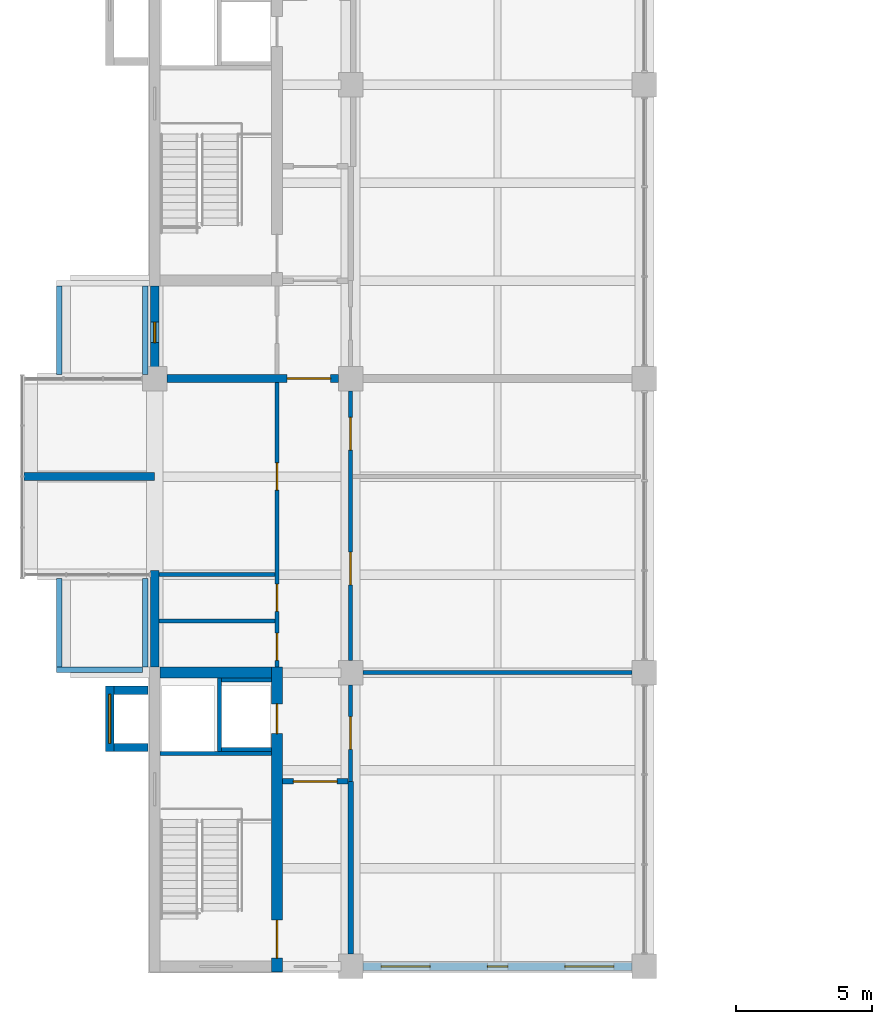
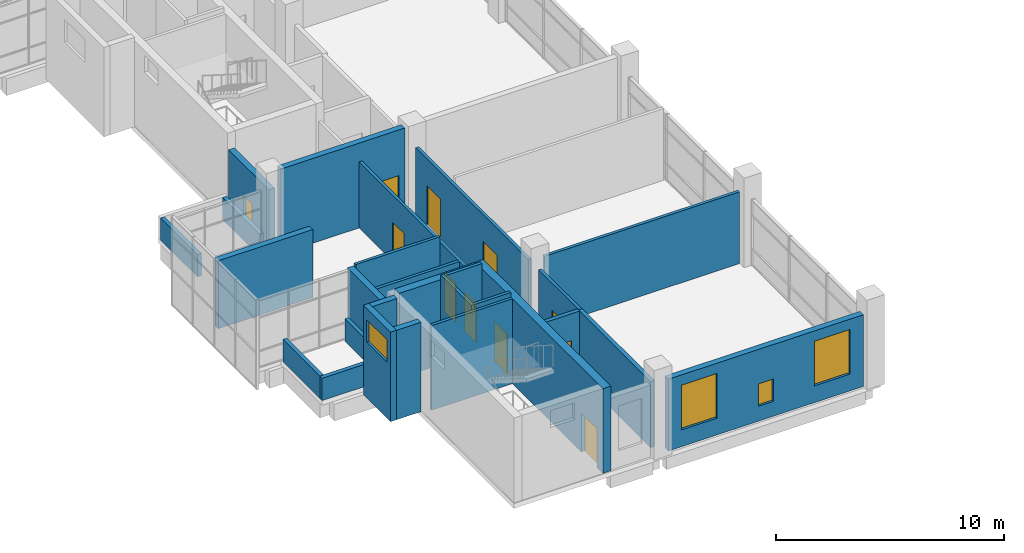
# One storey, part 14 of 22: 27 walls, 10 doors, 5 windows, 15 openings.
"""IFC4 building model written with IfcOpenShell, lengths in metres."""

from ifc_helpers import new_model, si_unit, direction, frame, frame_2d, origin, place, context, subcontext, project, spatial, rectangle, extrude, material, layer, layer_set, type_object, element, fill, save


model = new_model("IFC4")

# Units and contexts
model_context = context("Model", 3, precision=1e-05, world=origin(), true_north=direction((0.0, 1.0)))
body_context = subcontext(model_context, "Body", "Model", "MODEL_VIEW")
ifc_project = project(units=[si_unit("LENGTHUNIT", "METRE"), si_unit("AREAUNIT", "SQUARE_METRE"), si_unit("VOLUMEUNIT", "CUBIC_METRE"), si_unit("PLANEANGLEUNIT", "RADIAN"), si_unit("MASSUNIT", "GRAM", prefix="KILO")], contexts=[model_context])

# Site, building, storey
site_placement = place(None, origin())
site = spatial("IfcSite", under=ifc_project, at=site_placement, CompositionType="ELEMENT")
building_placement = place(site_placement, origin())
building = spatial("IfcBuilding", under=site, at=building_placement, Name="Basin Gate Institute", CompositionType="ELEMENT")
storey_placement = place(building_placement, frame((0.0, 0.0, 51.0)))
storey = spatial("IfcBuildingStorey", under=building, at=storey_placement, Name="L10", CompositionType="ELEMENT", Elevation=51.0)

# Wall
ifc_material_1 = material(Name="Aluminium-faced insulated panel wall", Category="aluminium")
ifc_layer_1 = layer(ifc_material_1, 0.300048828125)
ifc_layer_set_1 = layer_set([ifc_layer_1], Name="Capsule side wall EW2 EI 120")
wall_type_1 = type_object("IfcWallType", Name="Capsule side wall EW2 EI 120", PredefinedType="STANDARD", material=ifc_layer_set_1)
wall_1_placement = place(storey_placement, frame((56.39990234375, 53.10009765625, 0.0), z_axis=(0.0, 0.0, 1.0), x_axis=(1.0, 0.0, 0.0)))
element("IfcWall", 1, at=wall_1_placement, inside=storey, type_object=wall_type_1, material=ifc_layer_set_1, Name="Capsule side wall W wing L10 line 6", PredefinedType="STANDARD", context=body_context, shape_type="SweptSolid", body=[
    extrude(rectangle(XDim=4.800048828125, YDim=0.300048828125, at=frame_2d((2.39990234375, 0.0))), origin(), (0.0, 0.0, 1.0), 3.64990234375),
])

# Wall, opening, door
ifc_material_2 = material(Name="Fire-rated masonry", Category="masonry")
ifc_layer_2 = layer(ifc_material_2, 0.199951171875)
ifc_layer_set_2 = layer_set([ifc_layer_2], Name="Enclosure wall PW2 200 EI 60")
wall_type_2 = type_object("IfcWallType", Name="Enclosure wall PW2 200 EI 60", PredefinedType="PARTITIONING", material=ifc_layer_set_2)
wall_2_placement = place(storey_placement, frame((65.89990234375, 41.89990234375, 0.0), z_axis=(0.0, 0.0, 1.0), x_axis=(1.0, 0.0, 0.0)))
wall_2 = element("IfcWall", 2, at=wall_2_placement, inside=storey, type_object=wall_type_2, material=ifc_layer_set_2, Name="Smoke lobby enclosure wall PW2 L10", PredefinedType="PARTITIONING", context=body_context, shape_type="SweptSolid", body=[
    extrude(rectangle(XDim=2.400146484375, YDim=0.199951171875, at=frame_2d((1.2001953125, 0.0))), origin(), (0.0, 0.0, 1.0), 3.550048828125),
])
opening_1_placement = place(wall_2_placement, frame((0.39990234375, 0.0, 0.0)))
opening_1 = element("IfcOpeningElement", 3, at=opening_1_placement, cuts=wall_2, Name="Opening DR455", PredefinedType="OPENING", context=body_context, shape_type="SweptSolid", body=[
    extrude(rectangle(XDim=1.60009765625, YDim=2.10009765625, at=frame_2d((0.800048828125, 1.050048828125))), frame((0.0, 0.10986328125, 0.0), z_axis=(0.0, -1.0, 0.0), x_axis=(1.0, 0.0, 0.0)), (0.0, 0.0, 1.0), 0.219970703125),
])
ifc_material_3 = material(Name="Steel fire door", Category="steel")
door_type_1 = type_object("IfcDoorType", Name="FD60 Smoke lobby door pair D8", OperationType="DOUBLE_DOOR_SINGLE_SWING", PredefinedType="DOOR", material=ifc_material_3)
door_1_placement = place(opening_1_placement, frame((1.60009765625, 0.0, 0.0), z_axis=(0.0, 0.0, 1.0), x_axis=(-1.0, 0.0, 0.0)))
door_1 = element("IfcDoor", 4, at=door_1_placement, inside=storey, type_object=door_type_1, material=ifc_material_3, Name="Smoke lobby door SS1 L10", OperationType="DOUBLE_DOOR_SINGLE_SWING", OverallHeight=2.10009765625, OverallWidth=1.60009765625, PredefinedType="DOOR", context=body_context, shape_type="SweptSolid", body=[
    extrude(rectangle(XDim=1.60009765625, YDim=2.10009765625, at=frame_2d((0.800048828125, 1.050048828125))), frame((0.0, 0.02490234375, 0.0), z_axis=(0.0, -1.0, 0.0), x_axis=(1.0, 0.0, 0.0)), (0.0, 0.0, 1.0), 0.050048828125),
])
fill(opening_1, door_1)

# Walls
wall_3_placement = place(storey_placement, frame((68.39990234375, 35.550048828125, 0.0), z_axis=(0.0, 0.0, 1.0), x_axis=(0.0, 1.0, 0.0)))
element("IfcWall", 5, at=wall_3_placement, inside=storey, type_object=wall_type_2, material=ifc_layer_set_2, Name="Smoke lobby enclosure wall PW2 L10", PredefinedType="PARTITIONING", context=body_context, shape_type="SweptSolid", body=[
    extrude(rectangle(XDim=6.349853515625, YDim=0.199951171875, at=frame_2d((3.1748046875, 0.0))), origin(), (0.0, 0.0, 1.0), 3.550048828125),
])
ifc_material_4 = material(Name="Aluminium-faced insulated panel wall", Category="aluminium")
ifc_layer_3 = layer(ifc_material_4, 0.300048828125)
ifc_layer_set_3 = layer_set([ifc_layer_3], Name="External wall EW1 EI 120")
wall_type_3 = type_object("IfcWallType", Name="External wall EW1 EI 120", PredefinedType="STANDARD", material=ifc_layer_set_3)
wall_4_placement = place(storey_placement, frame((61.199951171875, 46.10009765625, 0.0), z_axis=(0.0, 0.0, 1.0), x_axis=(0.0, 1.0, 0.0)))
element("IfcWall", 6, at=wall_4_placement, inside=storey, type_object=wall_type_3, material=ifc_layer_set_3, Name="External wall W facade L10 1", PredefinedType="STANDARD", context=body_context, shape_type="SweptSolid", body=[
    extrude(rectangle(XDim=3.5498046875, YDim=0.300048828125, at=frame_2d((1.77490234375, 0.0))), origin(), (0.0, 0.0, 1.0), 3.64990234375),
])

# Wall, opening, window
wall_5_placement = place(storey_placement, frame((61.199951171875, 56.550048828125, 0.0), z_axis=(0.0, 0.0, 1.0), x_axis=(0.0, 1.0, 0.0)))
wall_5 = element("IfcWall", 7, at=wall_5_placement, inside=storey, type_object=wall_type_3, material=ifc_layer_set_3, Name="External wall W facade L10 2", PredefinedType="STANDARD", context=body_context, shape_type="SweptSolid", body=[
    extrude(rectangle(XDim=3.550048828125, YDim=0.300048828125, at=frame_2d((1.77490234375, 0.0))), origin(), (0.0, 0.0, 1.0), 3.64990234375),
])
opening_2_placement = place(wall_5_placement, frame((1.47509765625, 0.0, 0.800048828125)))
opening_2 = element("IfcOpeningElement", 8, at=opening_2_placement, cuts=wall_5, Name="Opening WN3", PredefinedType="OPENING", context=body_context, shape_type="SweptSolid", body=[
    extrude(rectangle(XDim=0.75, YDim=1.199951171875, at=frame_2d((0.375, 0.60009765625))), frame((0.0, 0.16015625, 0.0), z_axis=(0.0, -1.0, 0.0), x_axis=(1.0, 0.0, 0.0)), (0.0, 0.0, 1.0), 0.320068359375),
])
ifc_material_5 = material(Name="Aluminium-framed double glazing", Category="aluminium")
window_type_1 = type_object("IfcWindowType", Name="Emergency entry panel WN3", PartitioningType="SINGLE_PANEL", PredefinedType="WINDOW", material=ifc_material_5)
window_1_placement = place(opening_2_placement, origin())
window_1 = element("IfcWindow", 9, at=window_1_placement, inside=storey, type_object=window_type_1, material=ifc_material_5, Name="Emergency entry panel W facade L10 bay 7", OverallHeight=1.199951171875, OverallWidth=0.75, PartitioningType="SINGLE_PANEL", PredefinedType="WINDOW", context=body_context, shape_type="SweptSolid", body=[
    extrude(rectangle(XDim=0.75, YDim=1.199951171875, at=frame_2d((0.375, 0.60009765625))), frame((0.0, 0.030029296875, 0.0), z_axis=(0.0, -1.0, 0.0), x_axis=(1.0, 0.0, 0.0)), (0.0, 0.0, 1.0), 0.06005859375),
])
fill(opening_2, window_1)

# Wall, openings, windows
wall_6_placement = place(storey_placement, frame((68.85009765625, 35.10009765625, 0.0), z_axis=(0.0, 0.0, 1.0), x_axis=(1.0, 0.0, 0.0)))
wall_6 = element("IfcWall", 10, at=wall_6_placement, inside=storey, type_object=wall_type_3, material=ifc_layer_set_3, Name="External end wall W wing south L10 2", PredefinedType="STANDARD", context=body_context, shape_type="SweptSolid", body=[
    extrude(rectangle(XDim=9.89990234375, YDim=0.300048828125, at=frame_2d((4.949951171875, 0.0))), origin(), (0.0, 0.0, 1.0), 3.85009765625),
])
opening_3_placement = place(wall_6_placement, frame((0.675048828125, 0.0, 0.89990234375)))
opening_3 = element("IfcOpeningElement", 11, at=opening_3_placement, cuts=wall_6, Name="Opening WN1", PredefinedType="OPENING", context=body_context, shape_type="SweptSolid", body=[
    extrude(rectangle(XDim=1.800048828125, YDim=2.39990234375, at=frame_2d((0.89990234375, 1.199951171875))), frame((0.0, 0.16015625, 0.0), z_axis=(0.0, -1.0, 0.0), x_axis=(1.0, 0.0, 0.0)), (0.0, 0.0, 1.0), 0.320068359375),
])
opening_4_placement = place(wall_6_placement, frame((4.574951171875, 0.0, 0.800048828125)))
opening_4 = element("IfcOpeningElement", 12, at=opening_4_placement, cuts=wall_6, Name="Opening WN3", PredefinedType="OPENING", context=body_context, shape_type="SweptSolid", body=[
    extrude(rectangle(XDim=0.75, YDim=1.199951171875, at=frame_2d((0.375, 0.60009765625))), frame((0.0, 0.16015625, 0.0), z_axis=(0.0, -1.0, 0.0), x_axis=(1.0, 0.0, 0.0)), (0.0, 0.0, 1.0), 0.320068359375),
])
opening_5_placement = place(wall_6_placement, frame((7.425048828125, 0.0, 0.89990234375)))
opening_5 = element("IfcOpeningElement", 13, at=opening_5_placement, cuts=wall_6, Name="Opening WN1", PredefinedType="OPENING", context=body_context, shape_type="SweptSolid", body=[
    extrude(rectangle(XDim=1.800048828125, YDim=2.39990234375, at=frame_2d((0.89990234375, 1.199951171875))), frame((0.0, 0.16015625, 0.0), z_axis=(0.0, -1.0, 0.0), x_axis=(1.0, 0.0, 0.0)), (0.0, 0.0, 1.0), 0.320068359375),
])
window_2_placement = place(opening_4_placement, origin())
window_2 = element("IfcWindow", 14, at=window_2_placement, inside=storey, type_object=window_type_1, material=ifc_material_5, Name="Emergency entry panel W wing end S L10 bay 2", OverallHeight=1.199951171875, OverallWidth=0.75, PartitioningType="SINGLE_PANEL", PredefinedType="WINDOW", context=body_context, shape_type="SweptSolid", body=[
    extrude(rectangle(XDim=0.75, YDim=1.199951171875, at=frame_2d((0.375, 0.60009765625))), frame((0.0, 0.030029296875, 0.0), z_axis=(0.0, -1.0, 0.0), x_axis=(1.0, 0.0, 0.0)), (0.0, 0.0, 1.0), 0.06005859375),
])
fill(opening_4, window_2)
ifc_material_6 = material(Name="Aluminium-framed double glazing", Category="aluminium")
window_type_2 = type_object("IfcWindowType", Name="Facade window WN1", PartitioningType="SINGLE_PANEL", PredefinedType="WINDOW", material=ifc_material_6)
window_3_placement = place(opening_3_placement, origin())
window_3 = element("IfcWindow", 15, at=window_3_placement, inside=storey, type_object=window_type_2, material=ifc_material_6, Name="Facade window W wing end S L10 bay 1", OverallHeight=2.39990234375, OverallWidth=1.800048828125, PartitioningType="SINGLE_PANEL", PredefinedType="WINDOW", context=body_context, shape_type="SweptSolid", body=[
    extrude(rectangle(XDim=1.800048828125, YDim=2.39990234375, at=frame_2d((0.89990234375, 1.199951171875))), frame((0.0, 0.030029296875, 0.0), z_axis=(0.0, -1.0, 0.0), x_axis=(1.0, 0.0, 0.0)), (0.0, 0.0, 1.0), 0.06005859375),
])
fill(opening_3, window_3)
window_4_placement = place(opening_5_placement, origin())
window_4 = element("IfcWindow", 16, at=window_4_placement, inside=storey, type_object=window_type_2, material=ifc_material_6, Name="Facade window W wing end S L10 bay 3", OverallHeight=2.39990234375, OverallWidth=1.800048828125, PartitioningType="SINGLE_PANEL", PredefinedType="WINDOW", context=body_context, shape_type="SweptSolid", body=[
    extrude(rectangle(XDim=1.800048828125, YDim=2.39990234375, at=frame_2d((0.89990234375, 1.199951171875))), frame((0.0, 0.030029296875, 0.0), z_axis=(0.0, -1.0, 0.0), x_axis=(1.0, 0.0, 0.0)), (0.0, 0.0, 1.0), 0.06005859375),
])
fill(opening_5, window_4)

# Walls
ifc_material_7 = material(Name="Concrete 40 MPa", Category="concrete")
ifc_layer_4 = layer(ifc_material_7, 0.199951171875)
ifc_layer_set_4 = layer_set([ifc_layer_4], Name="Concrete 40 MPa")
wall_type_4 = type_object("IfcWallType", Name="Parapet wall PA1", PredefinedType="PARAPET", material=ifc_layer_set_4)
wall_7_placement = place(storey_placement, frame((60.85009765625, 49.35009765625, 0.0), z_axis=(0.0, 0.0, 1.0), x_axis=(0.0, -1.0, 0.0)))
element("IfcWall", 17, at=wall_7_placement, inside=storey, type_object=wall_type_4, material=ifc_layer_set_4, Name="Parapet wall PA1 L10 W1", PredefinedType="PARAPET", context=body_context, shape_type="SweptSolid", body=[
    extrude(rectangle(XDim=3.25, YDim=0.199951171875, at=frame_2d((1.625, 0.0))), origin(), (0.0, 0.0, 1.0), 1.199951171875),
])
wall_8_placement = place(storey_placement, frame((60.75, 46.0, 0.0), z_axis=(0.0, 0.0, 1.0), x_axis=(-1.0, 0.0, 0.0)))
element("IfcWall", 18, at=wall_8_placement, inside=storey, type_object=wall_type_4, material=ifc_layer_set_4, Name="Parapet wall PA1 L10 W2", PredefinedType="PARAPET", context=body_context, shape_type="SweptSolid", body=[
    extrude(rectangle(XDim=3.14990234375, YDim=0.199951171875, at=frame_2d((1.574951171875, 0.0))), origin(), (0.0, 0.0, 1.0), 1.199951171875),
])
for number, where, z_axis, x_axis, name in (
    (19, (57.699951171875, 46.10009765625, 0.0), (0.0, 0.0, 1.0), (0.0, 1.0, 0.0), "Parapet wall PA1 L10 W3"),
    (20, (60.85009765625, 60.10009765625, 0.0), (0.0, 0.0, 1.0), (0.0, -1.0, 0.0), "Parapet wall PA1 L10 W5"),
    (21, (57.699951171875, 56.85009765625, 0.0), (0.0, 0.0, 1.0), (0.0, 1.0, 0.0), "Parapet wall PA1 L10 W6"),
):
    element("IfcWall", number, at=place(storey_placement, frame(where, z_axis=z_axis, x_axis=x_axis)), inside=storey, type_object=wall_type_4, material=ifc_layer_set_4, Name=name, PredefinedType="PARAPET", context=body_context, shape_type="SweptSolid", body=[
        extrude(rectangle(XDim=3.25, YDim=0.199951171875, at=frame_2d((1.625, 0.0))), origin(), (0.0, 0.0, 1.0), 1.199951171875),
    ])

# Wall, openings, doors
ifc_material_8 = material(Name="Gypsum board on steel stud", Category="steel")
ifc_layer_5 = layer(ifc_material_8, 0.14990234375)
ifc_layer_set_5 = layer_set([ifc_layer_5], Name="Gypsum board on steel stud")
wall_type_5 = type_object("IfcWallType", Name="Partition PW1 150 EI 60", PredefinedType="PARTITIONING", material=ifc_layer_set_5)
wall_9_placement = place(storey_placement, frame((65.699951171875, 46.10009765625, 0.0), z_axis=(0.0, 0.0, 1.0), x_axis=(0.0, 1.0, 0.0)))
wall_9 = element("IfcWall", 22, at=wall_9_placement, inside=storey, type_object=wall_type_5, material=ifc_layer_set_5, Name="Corridor wall PW1 L10", PredefinedType="PARTITIONING", context=body_context, shape_type="SweptSolid", body=[
    extrude(rectangle(XDim=10.449951171875, YDim=0.14990234375, at=frame_2d((5.22509765625, 0.0))), origin(), (0.0, 0.0, 1.0), 3.550048828125),
])
opening_6_placement = place(wall_9_placement, frame((0.25, 0.0, 0.0)))
opening_6 = element("IfcOpeningElement", 23, at=opening_6_placement, cuts=wall_9, Name="Opening DR440", PredefinedType="OPENING", context=body_context, shape_type="SweptSolid", body=[
    extrude(rectangle(XDim=1.0, YDim=2.10009765625, at=frame_2d((0.5, 1.050048828125))), frame((0.0, 0.0849609375, 0.0), z_axis=(0.0, -1.0, 0.0), x_axis=(1.0, 0.0, 0.0)), (0.0, 0.0, 1.0), 0.169921875),
])
opening_7_placement = place(wall_9_placement, frame((2.050048828125, 0.0, 0.0)))
opening_7 = element("IfcOpeningElement", 24, at=opening_7_placement, cuts=wall_9, Name="Opening DR448", PredefinedType="OPENING", context=body_context, shape_type="SweptSolid", body=[
    extrude(rectangle(XDim=1.0, YDim=2.10009765625, at=frame_2d((0.5, 1.050048828125))), frame((0.0, 0.0849609375, 0.0), z_axis=(0.0, -1.0, 0.0), x_axis=(1.0, 0.0, 0.0)), (0.0, 0.0, 1.0), 0.169921875),
])
opening_8_placement = place(wall_9_placement, frame((6.5, 0.0, 0.0)))
opening_8 = element("IfcOpeningElement", 25, at=opening_8_placement, cuts=wall_9, Name="Opening DR452", PredefinedType="OPENING", context=body_context, shape_type="SweptSolid", body=[
    extrude(rectangle(XDim=1.0, YDim=2.10009765625, at=frame_2d((0.5, 1.050048828125))), frame((0.0, 0.0849609375, 0.0), z_axis=(0.0, -1.0, 0.0), x_axis=(1.0, 0.0, 0.0)), (0.0, 0.0, 1.0), 0.169921875),
])
ifc_material_9 = material(Name="Timber fire door", Category="wood")
door_type_2 = type_object("IfcDoorType", Name="FD30 Office door D1", OperationType="NOTDEFINED", PredefinedType="DOOR", material=ifc_material_9)
door_2_placement = place(opening_8_placement, origin())
door_2 = element("IfcDoor", 26, at=door_2_placement, inside=storey, type_object=door_type_2, material=ifc_material_9, Name="Door to Write-up Office 1003 L10", OperationType="SINGLE_SWING_RIGHT", OverallHeight=2.10009765625, OverallWidth=1.0, PredefinedType="DOOR", context=body_context, shape_type="SweptSolid", body=[
    extrude(rectangle(XDim=1.0, YDim=2.10009765625, at=frame_2d((0.5, 1.050048828125))), frame((0.0, 0.02490234375, 0.0), z_axis=(0.0, -1.0, 0.0), x_axis=(1.0, 0.0, 0.0)), (0.0, 0.0, 1.0), 0.050048828125),
])
fill(opening_8, door_2)
ifc_material_10 = material(Name="Timber fire door", Category="wood")
door_type_3 = type_object("IfcDoorType", Name="FD30 Toilet door D3", OperationType="NOTDEFINED", PredefinedType="DOOR", material=ifc_material_10)
door_3_placement = place(opening_6_placement, origin())
door_3 = element("IfcDoor", 27, at=door_3_placement, inside=storey, type_object=door_type_3, material=ifc_material_10, Name="Door to Accessible WC L10", OperationType="SINGLE_SWING_LEFT", OverallHeight=2.10009765625, OverallWidth=1.0, PredefinedType="DOOR", context=body_context, shape_type="SweptSolid", body=[
    extrude(rectangle(XDim=1.0, YDim=2.10009765625, at=frame_2d((0.5, 1.050048828125))), frame((0.0, 0.02490234375, 0.0), z_axis=(0.0, -1.0, 0.0), x_axis=(1.0, 0.0, 0.0)), (0.0, 0.0, 1.0), 0.050048828125),
])
fill(opening_6, door_3)
door_4_placement = place(opening_7_placement, origin())
door_4 = element("IfcDoor", 28, at=door_4_placement, inside=storey, type_object=door_type_3, material=ifc_material_10, Name="Door to Male WC L10", OperationType="SINGLE_SWING_LEFT", OverallHeight=2.10009765625, OverallWidth=1.0, PredefinedType="DOOR", context=body_context, shape_type="SweptSolid", body=[
    extrude(rectangle(XDim=1.0, YDim=2.10009765625, at=frame_2d((0.5, 1.050048828125))), frame((0.0, 0.02490234375, 0.0), z_axis=(0.0, -1.0, 0.0), x_axis=(1.0, 0.0, 0.0)), (0.0, 0.0, 1.0), 0.050048828125),
])
fill(opening_7, door_4)

# Wall, opening, door
wall_10_placement = place(storey_placement, frame((68.39990234375, 41.89990234375, 0.0), z_axis=(0.0, 0.0, 1.0), x_axis=(0.0, 1.0, 0.0)))
wall_10 = element("IfcWall", 29, at=wall_10_placement, inside=storey, type_object=wall_type_5, material=ifc_layer_set_5, Name="Laboratory corridor wall PW1 L10", PredefinedType="PARTITIONING", context=body_context, shape_type="SweptSolid", body=[
    extrude(rectangle(XDim=3.550048828125, YDim=0.14990234375, at=frame_2d((1.77490234375, 0.0))), origin(), (0.0, 0.0, 1.0), 3.550048828125),
])
opening_9_placement = place(wall_10_placement, frame((1.175048828125, 0.0, 0.0)))
opening_9 = element("IfcOpeningElement", 30, at=opening_9_placement, cuts=wall_10, Name="Opening DR441", PredefinedType="OPENING", context=body_context, shape_type="SweptSolid", body=[
    extrude(rectangle(XDim=1.199951171875, YDim=2.10009765625, at=frame_2d((0.60009765625, 1.050048828125))), frame((0.0, 0.0849609375, 0.0), z_axis=(0.0, -1.0, 0.0), x_axis=(1.0, 0.0, 0.0)), (0.0, 0.0, 1.0), 0.169921875),
])
ifc_material_11 = material(Name="Timber fire door", Category="wood")
door_type_4 = type_object("IfcDoorType", Name="FD30 Laboratory door D2", OperationType="DOUBLE_DOOR_SINGLE_SWING", PredefinedType="DOOR", material=ifc_material_11)
door_5_placement = place(opening_9_placement, frame((1.199951171875, 0.0, 0.0), z_axis=(0.0, 0.0, 1.0), x_axis=(-1.0, 0.0, 0.0)))
door_5 = element("IfcDoor", 31, at=door_5_placement, inside=storey, type_object=door_type_4, material=ifc_material_11, Name="Door to Breakout Meeting Room 1015 L10", OperationType="DOUBLE_DOOR_SINGLE_SWING", OverallHeight=2.10009765625, OverallWidth=1.199951171875, PredefinedType="DOOR", context=body_context, shape_type="SweptSolid", body=[
    extrude(rectangle(XDim=1.199951171875, YDim=2.10009765625, at=frame_2d((0.60009765625, 1.050048828125))), frame((0.0, 0.02490234375, 0.0), z_axis=(0.0, -1.0, 0.0), x_axis=(1.0, 0.0, 0.0)), (0.0, 0.0, 1.0), 0.050048828125),
])
fill(opening_9, door_5)

# Wall, openings, doors
wall_11_placement = place(storey_placement, frame((68.39990234375, 46.35009765625, 0.0), z_axis=(0.0, 0.0, 1.0), x_axis=(0.0, 1.0, 0.0)))
wall_11 = element("IfcWall", 32, at=wall_11_placement, inside=storey, type_object=wall_type_5, material=ifc_layer_set_5, Name="Laboratory corridor wall PW1 L10", PredefinedType="PARTITIONING", context=body_context, shape_type="SweptSolid", body=[
    extrude(rectangle(XDim=9.89990234375, YDim=0.14990234375, at=frame_2d((4.949951171875, 0.0))), origin(), (0.0, 0.0, 1.0), 3.550048828125),
])
opening_10_placement = place(wall_11_placement, frame((7.72509765625, 0.0, 0.0)))
opening_10 = element("IfcOpeningElement", 33, at=opening_10_placement, cuts=wall_11, Name="Opening DR442", PredefinedType="OPENING", context=body_context, shape_type="SweptSolid", body=[
    extrude(rectangle(XDim=1.199951171875, YDim=2.10009765625, at=frame_2d((0.60009765625, 1.050048828125))), frame((0.0, 0.0849609375, 0.0), z_axis=(0.0, -1.0, 0.0), x_axis=(1.0, 0.0, 0.0)), (0.0, 0.0, 1.0), 0.169921875),
])
opening_11_placement = place(wall_11_placement, frame((2.77490234375, 0.0, 0.0)))
opening_11 = element("IfcOpeningElement", 34, at=opening_11_placement, cuts=wall_11, Name="Opening DR449", PredefinedType="OPENING", context=body_context, shape_type="SweptSolid", body=[
    extrude(rectangle(XDim=1.199951171875, YDim=2.10009765625, at=frame_2d((0.60009765625, 1.050048828125))), frame((0.0, 0.0849609375, 0.0), z_axis=(0.0, -1.0, 0.0), x_axis=(1.0, 0.0, 0.0)), (0.0, 0.0, 1.0), 0.169921875),
])
door_6_placement = place(opening_10_placement, frame((1.199951171875, 0.0, 0.0), z_axis=(0.0, 0.0, 1.0), x_axis=(-1.0, 0.0, 0.0)))
door_6 = element("IfcDoor", 35, at=door_6_placement, inside=storey, type_object=door_type_4, material=ifc_material_11, Name="Door to Breakout Meeting Room 1017 L10", OperationType="DOUBLE_DOOR_SINGLE_SWING", OverallHeight=2.10009765625, OverallWidth=1.199951171875, PredefinedType="DOOR", context=body_context, shape_type="SweptSolid", body=[
    extrude(rectangle(XDim=1.199951171875, YDim=2.10009765625, at=frame_2d((0.60009765625, 1.050048828125))), frame((0.0, 0.02490234375, 0.0), z_axis=(0.0, -1.0, 0.0), x_axis=(1.0, 0.0, 0.0)), (0.0, 0.0, 1.0), 0.050048828125),
])
fill(opening_10, door_6)
door_7_placement = place(opening_11_placement, frame((1.199951171875, 0.0, 0.0), z_axis=(0.0, 0.0, 1.0), x_axis=(-1.0, 0.0, 0.0)))
door_7 = element("IfcDoor", 36, at=door_7_placement, inside=storey, type_object=door_type_4, material=ifc_material_11, Name="Door to Shared Instrument Suite 1016 L10", OperationType="DOUBLE_DOOR_SINGLE_SWING", OverallHeight=2.10009765625, OverallWidth=1.199951171875, PredefinedType="DOOR", context=body_context, shape_type="SweptSolid", body=[
    extrude(rectangle(XDim=1.199951171875, YDim=2.10009765625, at=frame_2d((0.60009765625, 1.050048828125))), frame((0.0, 0.02490234375, 0.0), z_axis=(0.0, -1.0, 0.0), x_axis=(1.0, 0.0, 0.0)), (0.0, 0.0, 1.0), 0.050048828125),
])
fill(opening_11, door_7)

# Walls
wall_12_placement = place(storey_placement, frame((68.85009765625, 45.89990234375, 0.0), z_axis=(0.0, 0.0, 1.0), x_axis=(1.0, 0.0, 0.0)))
element("IfcWall", 37, at=wall_12_placement, inside=storey, type_object=wall_type_5, material=ifc_layer_set_5, Name="Laboratory partition PW1 L10", PredefinedType="PARTITIONING", context=body_context, shape_type="SweptSolid", body=[
    extrude(rectangle(XDim=9.89990234375, YDim=0.14990234375, at=frame_2d((4.949951171875, 0.0))), origin(), (0.0, 0.0, 1.0), 3.85009765625),
])
ifc_material_12 = material(Name="Gypsum board on steel stud", Category="steel")
ifc_layer_6 = layer(ifc_material_12, 0.14990234375)
ifc_layer_set_6 = layer_set([ifc_layer_6], Name="Gypsum board on steel stud")
wall_type_6 = type_object("IfcWallType", Name="Partition PW4 150", PredefinedType="PARTITIONING", material=ifc_layer_set_6)
wall_13_placement = place(storey_placement, frame((61.35009765625, 47.800048828125, 0.0), z_axis=(0.0, 0.0, 1.0), x_axis=(1.0, 0.0, 0.0)))
element("IfcWall", 38, at=wall_13_placement, inside=storey, type_object=wall_type_6, material=ifc_layer_set_6, Name="Toilet partition PW4 L10", PredefinedType="PARTITIONING", context=body_context, shape_type="SweptSolid", body=[
    extrude(rectangle(XDim=4.27490234375, YDim=0.14990234375, at=frame_2d((2.137451171875, 0.0))), origin(), (0.0, 0.0, 1.0), 3.550048828125),
])
wall_14_placement = place(storey_placement, frame((61.35009765625, 49.5, 0.0), z_axis=(0.0, 0.0, 1.0), x_axis=(1.0, 0.0, 0.0)))
element("IfcWall", 39, at=wall_14_placement, inside=storey, type_object=wall_type_6, material=ifc_layer_set_6, Name="Toilet partition PW4 L10", PredefinedType="PARTITIONING", context=body_context, shape_type="SweptSolid", body=[
    extrude(rectangle(XDim=4.27490234375, YDim=0.14990234375, at=frame_2d((2.137451171875, 0.0))), origin(), (0.0, 0.0, 1.0), 3.85009765625),
])
ifc_material_13 = material(Name="Concrete 40 MPa", Category="concrete")
ifc_layer_7 = layer(ifc_material_13, 0.14990234375)
ifc_layer_set_7 = layer_set([ifc_layer_7], Name="Concrete 40 MPa")
wall_type_7 = type_object("IfcWallType", Name="Wall LS1 lift shaft enclosure R120", PredefinedType="SOLIDWALL", material=ifc_layer_set_7)
wall_15_placement = place(storey_placement, frame((63.574951171875, 43.0, 0.0), z_axis=(0.0, 0.0, 1.0), x_axis=(0.0, 1.0, 0.0)))
element("IfcWall", 40, at=wall_15_placement, inside=storey, type_object=wall_type_7, material=ifc_layer_set_7, Name="Lift shaft enclosure LP1 L10 UL", PredefinedType="SOLIDWALL", context=body_context, shape_type="SweptSolid", body=[
    extrude(rectangle(XDim=2.699951171875, YDim=0.14990234375, at=frame_2d((1.35009765625, 0.0))), origin(), (0.0, 0.0, 1.0), 4.800048828125),
])
for number, where, z_axis, x_axis, name in (
    (41, (63.64990234375, 43.074951171875, 0.0), (0.0, 0.0, 1.0), (1.0, 0.0, 0.0), "Lift shaft enclosure LP1 L10 RL"),
    (42, (63.64990234375, 45.625, 0.0), (0.0, 0.0, 1.0), (1.0, 0.0, 0.0), "Lift shaft enclosure LP1 L10 RH"),
):
    element("IfcWall", number, at=place(storey_placement, frame(where, z_axis=z_axis, x_axis=x_axis)), inside=storey, type_object=wall_type_7, material=ifc_layer_set_7, Name=name, PredefinedType="SOLIDWALL", context=body_context, shape_type="SweptSolid", body=[
        extrude(rectangle(XDim=1.85009765625, YDim=0.14990234375, at=frame_2d((0.925048828125, 0.0))), origin(), (0.0, 0.0, 1.0), 4.800048828125),
    ])
ifc_material_14 = material(Name="Concrete 40 MPa", Category="concrete")
ifc_layer_8 = layer(ifc_material_14, 0.14990234375)
ifc_layer_set_8 = layer_set([ifc_layer_8], Name="Concrete 40 MPa")
wall_type_8 = type_object("IfcWallType", Name="Wall SE1 stair enclosure R120", PredefinedType="SOLIDWALL", material=ifc_layer_set_8)
wall_16_placement = place(storey_placement, frame((61.39990234375, 42.925048828125, 0.0), z_axis=(0.0, 0.0, 1.0), x_axis=(1.0, 0.0, 0.0)))
element("IfcWall", 43, at=wall_16_placement, inside=storey, type_object=wall_type_8, material=ifc_layer_set_8, Name="Stair enclosure wall ST-WS L10", PredefinedType="SOLIDWALL", context=body_context, shape_type="SweptSolid", body=[
    extrude(rectangle(XDim=4.10009765625, YDim=0.14990234375, at=frame_2d((2.050048828125, 0.0))), origin(), (0.0, 0.0, 1.0), 4.550048828125),
])

# Wall, opening, window
ifc_material_15 = material(Name="Concrete 50 MPa", Category="concrete")
ifc_layer_9 = layer(ifc_material_15, 0.300048828125)
ifc_layer_set_9 = layer_set([ifc_layer_9], Name="Concrete 50 MPa")
wall_type_9 = type_object("IfcWallType", Name="Wall SK1 R120", PredefinedType="SHEAR", material=ifc_layer_set_9)
wall_17_placement = place(storey_placement, frame((59.550048828125, 43.0, 0.0), z_axis=(0.0, 0.0, 1.0), x_axis=(0.0, 1.0, 0.0)))
wall_17 = element("IfcWall", 44, at=wall_17_placement, inside=storey, type_object=wall_type_9, material=ifc_layer_set_9, Name="Spine riser stack wall SK1 WS F L10", PredefinedType="SHEAR", context=body_context, shape_type="SweptSolid", body=[
    extrude(rectangle(XDim=2.39990234375, YDim=0.300048828125, at=frame_2d((1.199951171875, 0.0))), origin(), (0.0, 0.0, 1.0), 4.800048828125),
])
opening_12_placement = place(wall_17_placement, frame((0.300048828125, 0.0, 3.0)))
opening_12 = element("IfcOpeningElement", 45, at=opening_12_placement, cuts=wall_17, Name="Opening WL2", PredefinedType="OPENING", context=body_context, shape_type="SweptSolid", body=[
    extrude(rectangle(XDim=1.800048828125, YDim=1.199951171875, at=frame_2d((0.89990234375, 0.60009765625))), frame((0.0, 0.16015625, 0.0), z_axis=(0.0, -1.0, 0.0), x_axis=(1.0, 0.0, 0.0)), (0.0, 0.0, 1.0), 0.320068359375),
])
ifc_material_16 = material(Name="Aluminium louvre blades with fire damper", Category="aluminium")
window_type_3 = type_object("IfcWindowType", Name="Riser louvre EI 120 WL2", PartitioningType="SINGLE_PANEL", PredefinedType="WINDOW", material=ifc_material_16)
window_5_placement = place(opening_12_placement, origin())
window_5 = element("IfcWindow", 46, at=window_5_placement, inside=storey, type_object=window_type_3, material=ifc_material_16, Name="Riser louvre EI 120 WS riser 1 L10", OverallHeight=1.199951171875, OverallWidth=1.800048828125, PartitioningType="SINGLE_PANEL", PredefinedType="WINDOW", context=body_context, shape_type="SweptSolid", body=[
    extrude(rectangle(XDim=1.800048828125, YDim=1.199951171875, at=frame_2d((0.89990234375, 0.60009765625))), frame((0.0, 0.030029296875, 0.0), z_axis=(0.0, -1.0, 0.0), x_axis=(1.0, 0.0, 0.0)), (0.0, 0.0, 1.0), 0.06005859375),
])
fill(opening_12, window_5)

# Walls
for number, where, z_axis, x_axis, name in (
    (47, (60.949951171875, 43.14990234375, 0.0), (0.0, 0.0, 1.0), (-1.0, 0.0, 0.0), "Spine riser stack wall SK1 WS A L10"),
    (48, (60.949951171875, 45.25, 0.0), (0.0, 0.0, 1.0), (-1.0, 0.0, 0.0), "Spine riser stack wall SK1 WS B L10"),
):
    element("IfcWall", number, at=place(storey_placement, frame(where, z_axis=z_axis, x_axis=x_axis)), inside=storey, type_object=wall_type_9, material=ifc_layer_set_9, Name=name, PredefinedType="SHEAR", context=body_context, shape_type="SweptSolid", body=[
        extrude(rectangle(XDim=1.25, YDim=0.300048828125, at=frame_2d((0.625, 0.0))), origin(), (0.0, 0.0, 1.0), 4.800048828125),
    ])

# Wall, openings, doors
ifc_material_17 = material(Name="Concrete 50 MPa", Category="concrete")
ifc_layer_10 = layer(ifc_material_17, 0.39990234375)
ifc_layer_set_10 = layer_set([ifc_layer_10], Name="Concrete 50 MPa")
wall_type_10 = type_object("IfcWallType", Name="Wall SW2 R120", PredefinedType="SHEAR", material=ifc_layer_set_10)
wall_18_placement = place(storey_placement, frame((65.699951171875, 34.89990234375, 0.0), z_axis=(0.0, 0.0, 1.0), x_axis=(0.0, 1.0, 0.0)))
wall_18 = element("IfcWall", 49, at=wall_18_placement, inside=storey, type_object=wall_type_10, material=ifc_layer_set_10, Name="WALL/L10/WS/C", PredefinedType="SHEAR", context=body_context, shape_type="SweptSolid", body=[
    extrude(rectangle(XDim=11.2001953125, YDim=0.39990234375, at=frame_2d((5.60009765625, 0.0))), origin(), (0.0, 0.0, 1.0), 4.550048828125),
])
opening_13_placement = place(wall_18_placement, frame((0.5, 0.0, 0.0)))
opening_13 = element("IfcOpeningElement", 50, at=opening_13_placement, cuts=wall_18, Name="Opening DS058", PredefinedType="OPENING", context=body_context, shape_type="SweptSolid", body=[
    extrude(rectangle(XDim=1.39990234375, YDim=2.10009765625, at=frame_2d((0.699951171875, 1.050048828125))), frame((0.0, 0.2099609375, 0.0), z_axis=(0.0, -1.0, 0.0), x_axis=(1.0, 0.0, 0.0)), (0.0, 0.0, 1.0), 0.419921875),
])
opening_14_placement = place(wall_18_placement, frame((8.75, 0.0, 0.0)))
opening_14 = element("IfcOpeningElement", 51, at=opening_14_placement, cuts=wall_18, Name="Opening LD013", PredefinedType="OPENING", context=body_context, shape_type="SweptSolid", body=[
    extrude(rectangle(XDim=1.10009765625, YDim=2.10009765625, at=frame_2d((0.550048828125, 1.050048828125))), frame((0.0, 0.2099609375, 0.0), z_axis=(0.0, -1.0, 0.0), x_axis=(1.0, 0.0, 0.0)), (0.0, 0.0, 1.0), 0.419921875),
])
ifc_material_18 = material(Name="Steel fire door", Category="steel")
door_type_5 = type_object("IfcDoorType", Name="FD30 Stair enclosure door DS", OperationType="DOUBLE_DOOR_SINGLE_SWING", PredefinedType="DOOR", material=ifc_material_18)
door_8_placement = place(opening_13_placement, origin())
door_8 = element("IfcDoor", 52, at=door_8_placement, inside=storey, type_object=door_type_5, material=ifc_material_18, Name="Stair enclosure door ST-WS L10", OperationType="DOUBLE_DOOR_SINGLE_SWING", OverallHeight=2.10009765625, OverallWidth=1.39990234375, PredefinedType="DOOR", context=body_context, shape_type="SweptSolid", body=[
    extrude(rectangle(XDim=1.39990234375, YDim=2.10009765625, at=frame_2d((0.699951171875, 1.050048828125))), frame((0.0, 0.02490234375, 0.0), z_axis=(0.0, -1.0, 0.0), x_axis=(1.0, 0.0, 0.0)), (0.0, 0.0, 1.0), 0.050048828125),
])
fill(opening_13, door_8)
ifc_material_19 = material(Name="Stainless steel", Category="steel")
door_type_6 = type_object("IfcDoorType", Name="FD60 Lift landing door LD", OperationType="SLIDING_TO_LEFT", PredefinedType="DOOR", material=ifc_material_19)
door_9_placement = place(opening_14_placement, origin())
door_9 = element("IfcDoor", 53, at=door_9_placement, inside=storey, type_object=door_type_6, material=ifc_material_19, Name="Lift landing door LP1 L10", OperationType="SLIDING_TO_LEFT", OverallHeight=2.10009765625, OverallWidth=1.10009765625, PredefinedType="DOOR", context=body_context, shape_type="SweptSolid", body=[
    extrude(rectangle(XDim=1.10009765625, YDim=2.10009765625, at=frame_2d((0.550048828125, 1.050048828125))), frame((0.0, 0.02490234375, 0.0), z_axis=(0.0, -1.0, 0.0), x_axis=(1.0, 0.0, 0.0)), (0.0, 0.0, 1.0), 0.050048828125),
])
fill(opening_14, door_9)

# Wall
wall_19_placement = place(storey_placement, frame((61.39990234375, 45.89990234375, 0.0), z_axis=(0.0, 0.0, 1.0), x_axis=(1.0, 0.0, 0.0)))
element("IfcWall", 54, at=wall_19_placement, inside=storey, type_object=wall_type_10, material=ifc_layer_set_10, Name="WALL/L10/WS/N", PredefinedType="SHEAR", context=body_context, shape_type="SweptSolid", body=[
    extrude(rectangle(XDim=4.10009765625, YDim=0.39990234375, at=frame_2d((2.050048828125, 0.0))), origin(), (0.0, 0.0, 1.0), 4.550048828125),
])

# Wall, opening, door
ifc_material_20 = material(Name="Concrete 50 MPa", Category="concrete")
ifc_layer_11 = layer(ifc_material_20, 0.300048828125)
ifc_layer_set_11 = layer_set([ifc_layer_11], Name="Concrete 50 MPa")
wall_type_11 = type_object("IfcWallType", Name="Wall XW1 R120", PredefinedType="SHEAR", material=ifc_layer_set_11)
wall_20_placement = place(storey_placement, frame((61.64990234375, 56.699951171875, 0.0), z_axis=(0.0, 0.0, 1.0), x_axis=(1.0, 0.0, 0.0)))
wall_20 = element("IfcWall", 55, at=wall_20_placement, inside=storey, type_object=wall_type_11, material=ifc_layer_set_11, Name="WALL/L10/WXC/1", PredefinedType="SHEAR", context=body_context, shape_type="SweptSolid", body=[
    extrude(rectangle(XDim=6.300048828125, YDim=0.300048828125, at=frame_2d((3.14990234375, 0.0))), origin(), (0.0, 0.0, 1.0), 4.550048828125),
])
opening_15_placement = place(wall_20_placement, frame((4.41259765625, 0.0, 0.0)))
opening_15 = element("IfcOpeningElement", 56, at=opening_15_placement, cuts=wall_20, Name="Opening DR459", PredefinedType="OPENING", context=body_context, shape_type="SweptSolid", body=[
    extrude(rectangle(XDim=1.60009765625, YDim=2.10009765625, at=frame_2d((0.800048828125, 1.050048828125))), frame((0.0, 0.16015625, 0.0), z_axis=(0.0, -1.0, 0.0), x_axis=(1.0, 0.0, 0.0)), (0.0, 0.0, 1.0), 0.320068359375),
])
ifc_material_21 = material(Name="Steel fire door", Category="steel")
door_type_7 = type_object("IfcDoorType", Name="FD60 Compartment door pair D7", OperationType="DOUBLE_DOOR_SINGLE_SWING", PredefinedType="DOOR", material=ifc_material_21)
door_10_placement = place(opening_15_placement, origin())
door_10 = element("IfcDoor", 57, at=door_10_placement, inside=storey, type_object=door_type_7, material=ifc_material_21, Name="Compartment door pair L10 W1 L10", OperationType="DOUBLE_DOOR_SINGLE_SWING", OverallHeight=2.10009765625, OverallWidth=1.60009765625, PredefinedType="DOOR", context=body_context, shape_type="SweptSolid", body=[
    extrude(rectangle(XDim=1.60009765625, YDim=2.10009765625, at=frame_2d((0.800048828125, 1.050048828125))), frame((0.0, 0.02490234375, 0.0), z_axis=(0.0, -1.0, 0.0), x_axis=(1.0, 0.0, 0.0)), (0.0, 0.0, 1.0), 0.050048828125),
])
fill(opening_15, door_10)

save(model, "model.ifc")
